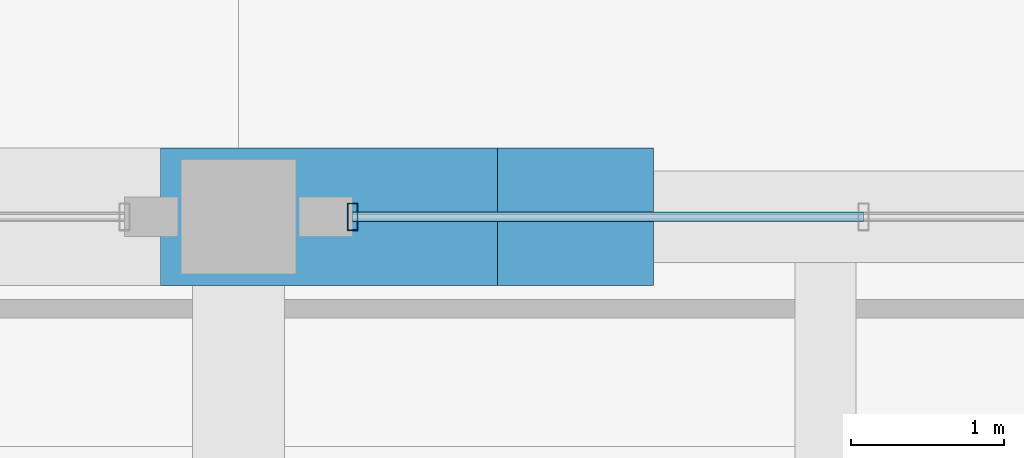
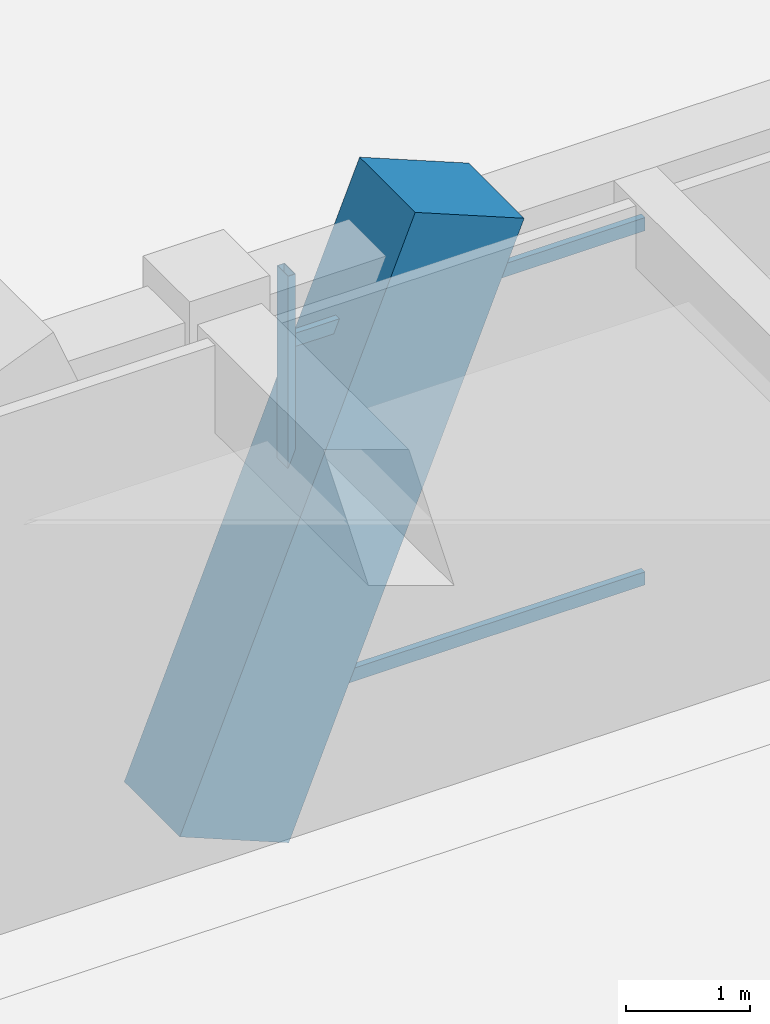
# One storey, part 35 of 148: 4 members, 1 element without a shape of its own.
"""IFC4 building model written with IfcOpenShell, lengths in metres."""

from ifc_helpers import new_model, si_unit, direction, frame, origin, origin_2d, place, context, subcontext, project, spatial, rectangle, hollow_rectangle, extrude, material, material_profile, profile_set, type_object, element, aggregate, save


model = new_model("IFC4")

# Units and contexts
model_context = context("Model", 3, precision=1e-05, world=origin(), true_north=direction((0.0, 1.0)))
body_context = subcontext(model_context, "Body", "Model", "MODEL_VIEW")
ifc_project = project(units=[si_unit("LENGTHUNIT", "METRE"), si_unit("AREAUNIT", "SQUARE_METRE"), si_unit("VOLUMEUNIT", "CUBIC_METRE"), si_unit("PLANEANGLEUNIT", "RADIAN"), si_unit("MASSUNIT", "GRAM", prefix="KILO")], contexts=[model_context])

# Site, building, storey
site_placement = place(None, origin())
site = spatial("IfcSite", under=ifc_project, at=site_placement, CompositionType="ELEMENT")
building_placement = place(site_placement, origin())
building = spatial("IfcBuilding", under=site, at=building_placement, Name="Ologun Quay Terminus", CompositionType="ELEMENT")
storey_placement = place(building_placement, frame((0.0, 0.0, 8.39990234375)))
storey = spatial("IfcBuildingStorey", under=building, at=storey_placement, Name="L02", CompositionType="ELEMENT", Elevation=8.39990234375)

# Curtain wall, members
ifc_material_1 = material(Name="Aluminium 6063-T6", Category="aluminium")
curtain_wall_type = type_object("IfcCurtainWallType", Name="Train Shed South Clerestory Curtain Wall 10700x5050", PredefinedType="USERDEFINED", material=ifc_material_1)
curtain_wall_placement = place(storey_placement, origin())
curtain_wall = element("IfcCurtainWall", 1, at=curtain_wall_placement, inside=storey, type_object=curtain_wall_type, Name="CW-08 Curtain Wall CW-L02-060", ObjectType="UNITISED CURTAIN WALL", PredefinedType="USERDEFINED")
ifc_material_2 = material(Name="Aluminium 6063-T6", Category="aluminium")
ifc_material_profile_1 = material_profile(ifc_material_2, hollow_rectangle(XDim=0.070068359375, YDim=0.179931640625, WallThickness=0.0048828125, at=origin_2d()), Name="ALU 180x70x5")
ifc_profile_set_1 = profile_set([ifc_material_profile_1], Name="Aluminium 6063-T6")
member_type_1 = type_object("IfcMemberType", Name="Concourse Clerestory Mullion 180x70", PredefinedType="MULLION", material=ifc_profile_set_1)
member_1_placement = place(storey_placement, frame((92.7451171875, 36.0, 0.0), z_axis=(0.0, 0.0, 1.0), x_axis=(1.0, 0.0, 0.0)))
member_1 = element("IfcMember", 2, at=member_1_placement, type_object=member_type_1, Name="CW-L02-060 Mullion 1", PredefinedType="MULLION", context=body_context, shape_type="SweptSolid", body=[
    extrude(hollow_rectangle(XDim=0.070068359375, YDim=0.179931640625, WallThickness=0.0048828125, at=origin_2d()), origin(), (0.0, 0.0, 1.0), 5.10009765625),
])
ifc_material_3 = material(Name="Aluminium 6063-T6", Category="aluminium")
ifc_material_profile_2 = material_profile(ifc_material_3, hollow_rectangle(XDim=0.06005859375, YDim=0.1298828125, WallThickness=0.00390625, at=origin_2d()), Name="ALU 130x60x4")
ifc_profile_set_2 = profile_set([ifc_material_profile_2], Name="Aluminium 6063-T6")
member_type_2 = type_object("IfcMemberType", Name="Concourse Clerestory Transom 130x60", PredefinedType="USERDEFINED", material=ifc_profile_set_2)
member_2_placement = place(storey_placement, frame((92.7451171875, 36.0, 0.900146484375), z_axis=(1.0, 0.0, 0.0), x_axis=(0.0, 1.0, 0.0)))
member_2 = element("IfcMember", 3, at=member_2_placement, type_object=member_type_2, Name="CW-L02-060 Transom B1-1", ObjectType="TRANSOM", PredefinedType="USERDEFINED", context=body_context, shape_type="SweptSolid", body=[
    extrude(hollow_rectangle(XDim=0.06005859375, YDim=0.1298828125, WallThickness=0.00390625, at=origin_2d()), origin(), (0.0, 0.0, 1.0), 3.336669921875),
])
member_3_placement = place(storey_placement, frame((92.7451171875, 36.0, 4.400146484375), z_axis=(1.0, 0.0, 0.0), x_axis=(0.0, 1.0, 0.0)))
member_3 = element("IfcMember", 4, at=member_3_placement, type_object=member_type_2, Name="CW-L02-060 Transom B1-2", ObjectType="TRANSOM", PredefinedType="USERDEFINED", context=body_context, shape_type="SweptSolid", body=[
    extrude(hollow_rectangle(XDim=0.06005859375, YDim=0.1298828125, WallThickness=0.00390625, at=origin_2d()), origin(), (0.0, 0.0, 1.0), 3.336669921875),
])
aggregate(curtain_wall, [member_1, member_2, member_3])

# Member
ifc_material_4 = material(Name="Concrete C45/55", Category="concrete")
ifc_material_profile_3 = material_profile(ifc_material_4, rectangle(XDim=0.89990234375, YDim=1.10009765625, at=origin_2d()), Name="RC 900x1100")
ifc_profile_set_3 = profile_set([ifc_material_profile_3], Name="Concrete C45/55")
member_type_3 = type_object("IfcMemberType", Name="Sculpted Concrete Arch V-Buttress Strut 900x1100", PredefinedType="STRUT", material=ifc_profile_set_3)
member_4_placement = place(storey_placement, frame((92.0, 36.0, 0.0), z_axis=(0.377280927807, 0.0, 0.926098861631), x_axis=(0.0, 1.0, 0.0)))
element("IfcMember", 5, at=member_4_placement, inside=storey, type_object=member_type_3, Name="VS1 Arch V-Buttress East Limb 9/E", PredefinedType="STRUT", context=body_context, shape_type="SweptSolid", body=[
    extrude(rectangle(XDim=0.89990234375, YDim=1.10009765625, at=origin_2d()), origin(), (0.0, 0.0, 1.0), 5.8310546875),
])

save(model, "model.ifc")
